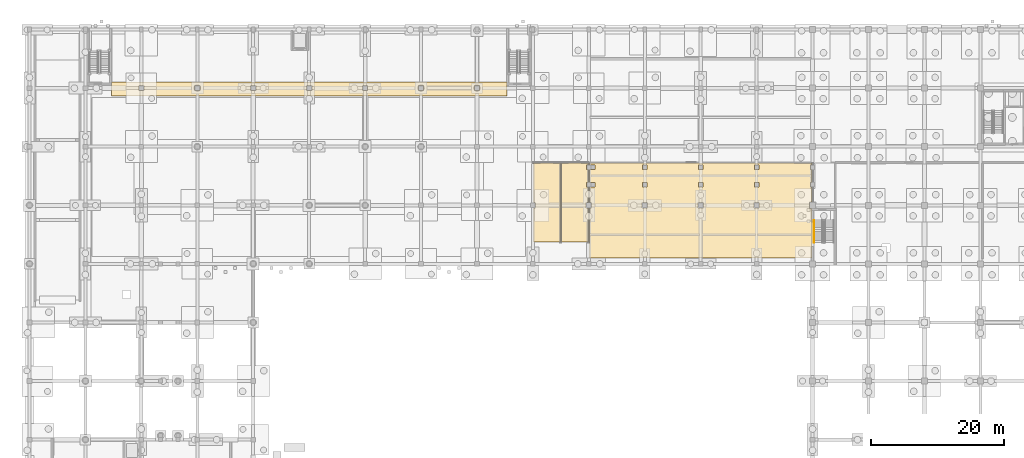
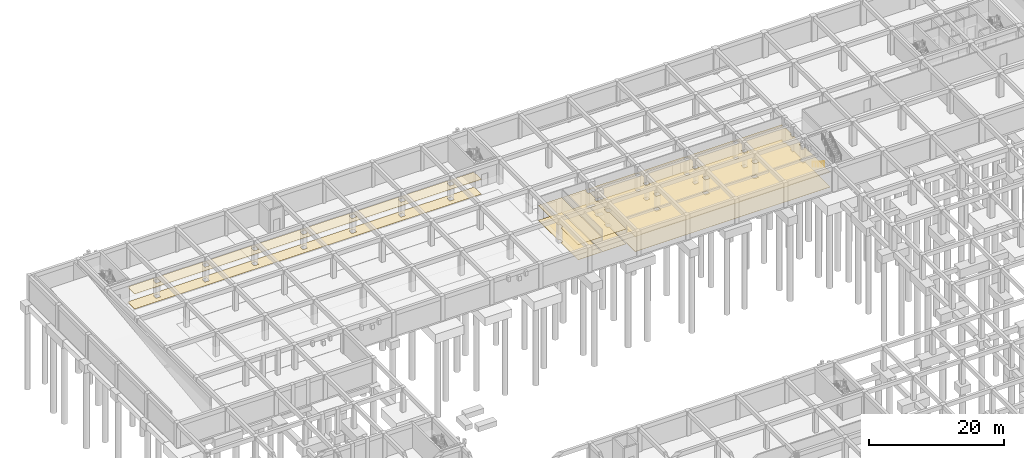
# One storey, part 36 of 41: 8 coverings, 1 railing.
"""IFC4 building model written with IfcOpenShell, lengths in metres."""

from ifc_helpers import new_model, si_unit, direction, frame, origin, origin_2d, place, context, subcontext, project, spatial, polyline, circle, outline, extrude, material, layer, layer_set, type_object, element, save


model = new_model("IFC4")

# Units and contexts
model_context = context("Model", 3, precision=1e-05, world=origin(), true_north=direction((0.0, 1.0)))
body_context = subcontext(model_context, "Body", "Model", "MODEL_VIEW")
ifc_project = project(units=[si_unit("LENGTHUNIT", "METRE"), si_unit("AREAUNIT", "SQUARE_METRE"), si_unit("VOLUMEUNIT", "CUBIC_METRE"), si_unit("PLANEANGLEUNIT", "RADIAN"), si_unit("MASSUNIT", "GRAM", prefix="KILO")], contexts=[model_context])

# Site, building, storey
site_placement = place(None, origin())
site = spatial("IfcSite", under=ifc_project, at=site_placement, CompositionType="ELEMENT")
building_placement = place(site_placement, origin())
building = spatial("IfcBuilding", under=site, at=building_placement, Name="Kemercrest Conservatory and Botanical Centre", CompositionType="ELEMENT")
storey_placement = place(building_placement, frame((0.0, 0.0, -4.5)))
storey = spatial("IfcBuildingStorey", under=building, at=storey_placement, Name="B1", CompositionType="ELEMENT", Elevation=-4.5)

# Coverings
ifc_material_1 = material(Name="Perforated acoustic gypsum and mineral-fibre suspended ceiling", Category="gypsum")
ifc_layer_1 = layer(ifc_material_1, 0.034912109375)
ifc_layer_set_1 = layer_set([ifc_layer_1], Name="Perforated acoustic gypsum and mineral-fibre suspended ceiling")
covering_type_1 = type_object("IfcCoveringType", Name="CV-CLG035", PredefinedType="CEILING", material=ifc_layer_set_1)
covering_1_placement = place(storey_placement, frame((0.0, 0.0, 2.699951171875)))
element("IfcCovering", 1, at=covering_1_placement, inside=storey, type_object=covering_type_1, Name="Car Park Pedestrian Lift Lobby suspended acoustic ceiling", PredefinedType="CEILING", context=body_context, shape_type="SweptSolid", body=[
    extrude(outline(polyline([(79.719970703125, 114.52001953125), (20.280029296875, 114.52001953125), (20.280029296875, 112.3798828125), (79.719970703125, 112.3798828125), (79.719970703125, 114.52001953125)]), holes=[polyline([(74.81005859375, 113.989990234375), (75.590087890625, 113.989990234375), (75.590087890625, 113.2099609375), (74.81005859375, 113.2099609375), (74.81005859375, 113.989990234375)]), polyline([(66.409912109375, 113.2099609375), (66.409912109375, 113.989990234375), (67.18994140625, 113.989990234375), (67.18994140625, 113.2099609375), (66.409912109375, 113.2099609375)]), polyline([(58.010009765625, 113.2099609375), (58.010009765625, 113.989990234375), (58.7900390625, 113.989990234375), (58.7900390625, 113.2099609375), (58.010009765625, 113.2099609375)]), polyline([(49.610107421875, 113.2099609375), (49.610107421875, 113.989990234375), (50.389892578125, 113.989990234375), (50.389892578125, 113.2099609375), (49.610107421875, 113.2099609375)]), polyline([(41.2099609375, 113.2099609375), (41.2099609375, 113.989990234375), (41.989990234375, 113.989990234375), (41.989990234375, 113.2099609375), (41.2099609375, 113.2099609375)]), polyline([(32.81005859375, 113.2099609375), (32.81005859375, 113.989990234375), (33.590087890625, 113.989990234375), (33.590087890625, 113.2099609375), (32.81005859375, 113.2099609375)]), polyline([(24.409912109375, 113.989990234375), (25.18994140625, 113.989990234375), (25.18994140625, 113.2099609375), (24.409912109375, 113.2099609375), (24.409912109375, 113.989990234375)])]), origin(), (0.0, 0.0, 1.0), 0.03515625),
])
covering_2_placement = place(storey_placement, frame((0.0, 0.0, 2.699951171875)))
element("IfcCovering", 2, at=covering_2_placement, inside=storey, type_object=covering_type_1, Name="Enclosed Service Loading Bay LB-01 suspended acoustic ceiling", PredefinedType="CEILING", context=body_context, shape_type="SweptSolid", body=[
    extrude(outline(polyline([(83.679931640625, 90.47998046875), (87.719970703125, 90.47998046875), (87.719970703125, 102.320068359375), (83.679931640625, 102.320068359375), (83.679931640625, 96.389892578125), (83.989990234375, 96.389892578125), (83.989990234375, 95.610107421875), (83.679931640625, 95.610107421875), (83.679931640625, 90.47998046875)])), origin(), (0.0, 0.0, 1.0), 0.03515625),
])
covering_3_placement = place(storey_placement, frame((0.0, 0.0, 2.699951171875)))
element("IfcCovering", 3, at=covering_3_placement, inside=storey, type_object=covering_type_1, Name="Enclosed Service Loading Bay LB-02 suspended acoustic ceiling", PredefinedType="CEILING", context=body_context, shape_type="SweptSolid", body=[
    extrude(outline(polyline([(87.8798828125, 90.47998046875), (91.919921875, 90.47998046875), (91.919921875, 95.610107421875), (91.610107421875, 95.610107421875), (91.610107421875, 96.389892578125), (91.919921875, 96.389892578125), (91.919921875, 98.760009765625), (91.659912109375, 98.760009765625), (91.659912109375, 99.43994140625), (91.919921875, 99.43994140625), (91.919921875, 101.360107421875), (91.659912109375, 101.360107421875), (91.659912109375, 102.0400390625), (91.919921875, 102.0400390625), (91.919921875, 102.320068359375), (87.8798828125, 102.320068359375), (87.8798828125, 90.47998046875)])), origin(), (0.0, 0.0, 1.0), 0.03515625),
])
covering_4_placement = place(storey_placement, frame((0.0, 0.0, 2.699951171875)))
element("IfcCovering", 4, at=covering_4_placement, inside=storey, type_object=covering_type_1, Name="Phytosanitary Freezer Quarantine Suite suspended acoustic ceiling", PredefinedType="CEILING", context=body_context, shape_type="SweptSolid", body=[
    extrude(outline(polyline([(92.389892578125, 95.610107421875), (92.080078125, 95.610107421875), (92.080078125, 88.080078125), (125.52001953125, 88.080078125), (125.52001953125, 95.510009765625), (125.110107421875, 95.510009765625), (125.110107421875, 96.489990234375), (125.52001953125, 96.489990234375), (125.52001953125, 98.760009765625), (125.260009765625, 98.760009765625), (125.260009765625, 99.43994140625), (125.52001953125, 99.43994140625), (125.52001953125, 101.360107421875), (125.260009765625, 101.360107421875), (125.260009765625, 102.0400390625), (125.52001953125, 102.0400390625), (125.52001953125, 102.320068359375), (92.080078125, 102.320068359375), (92.080078125, 102.0400390625), (92.260009765625, 102.0400390625), (92.340087890625, 102.0400390625), (92.93994140625, 102.0400390625), (92.93994140625, 101.360107421875), (92.340087890625, 101.360107421875), (92.260009765625, 101.360107421875), (92.080078125, 101.360107421875), (92.080078125, 99.43994140625), (92.260009765625, 99.43994140625), (92.340087890625, 99.43994140625), (92.93994140625, 99.43994140625), (92.93994140625, 98.760009765625), (92.340087890625, 98.760009765625), (92.260009765625, 98.760009765625), (92.080078125, 98.760009765625), (92.080078125, 96.389892578125), (92.389892578125, 96.389892578125), (92.389892578125, 95.610107421875)]), holes=[polyline([(116.81005859375, 95.610107421875), (116.81005859375, 96.389892578125), (117.590087890625, 96.389892578125), (117.590087890625, 95.610107421875), (116.81005859375, 95.610107421875)]), polyline([(116.860107421875, 98.760009765625), (116.860107421875, 99.43994140625), (117.5400390625, 99.43994140625), (117.5400390625, 98.760009765625), (116.860107421875, 98.760009765625)]), polyline([(116.860107421875, 101.360107421875), (116.860107421875, 102.0400390625), (117.5400390625, 102.0400390625), (117.5400390625, 101.360107421875), (116.860107421875, 101.360107421875)]), polyline([(108.409912109375, 96.389892578125), (109.18994140625, 96.389892578125), (109.18994140625, 95.610107421875), (108.409912109375, 95.610107421875), (108.409912109375, 96.389892578125)]), polyline([(108.4599609375, 98.760009765625), (108.4599609375, 99.43994140625), (109.139892578125, 99.43994140625), (109.139892578125, 98.760009765625), (108.4599609375, 98.760009765625)]), polyline([(108.4599609375, 101.360107421875), (108.4599609375, 102.0400390625), (109.139892578125, 102.0400390625), (109.139892578125, 101.360107421875), (108.4599609375, 101.360107421875)]), polyline([(100.010009765625, 95.610107421875), (100.010009765625, 96.389892578125), (100.7900390625, 96.389892578125), (100.7900390625, 95.610107421875), (100.010009765625, 95.610107421875)]), polyline([(100.06005859375, 99.43994140625), (100.739990234375, 99.43994140625), (100.739990234375, 98.760009765625), (100.06005859375, 98.760009765625), (100.06005859375, 99.43994140625)]), polyline([(100.06005859375, 101.360107421875), (100.06005859375, 102.0400390625), (100.739990234375, 102.0400390625), (100.739990234375, 101.360107421875), (100.06005859375, 101.360107421875)])]), origin(), (0.0, 0.0, 1.0), 0.03515625),
])
ifc_material_2 = material(Name="Polished limestone terrazzo and seamless laboratory epoxy flooring", Category="masonry")
ifc_layer_2 = layer(ifc_material_2, 0.02001953125)
ifc_layer_set_2 = layer_set([ifc_layer_2], Name="Polished limestone terrazzo and seamless laboratory epoxy flooring")
covering_type_2 = type_object("IfcCoveringType", Name="CV-FLR020", PredefinedType="FLOORING", material=ifc_layer_set_2)
covering_5_placement = place(storey_placement, origin())
element("IfcCovering", 5, at=covering_5_placement, inside=storey, type_object=covering_type_2, Name="Car Park Pedestrian Lift Lobby floor finish", PredefinedType="FLOORING", context=body_context, shape_type="SweptSolid", body=[
    extrude(outline(polyline([(79.719970703125, 114.52001953125), (20.280029296875, 114.52001953125), (20.280029296875, 112.3798828125), (79.719970703125, 112.3798828125), (79.719970703125, 114.52001953125)]), holes=[polyline([(74.81005859375, 113.989990234375), (75.590087890625, 113.989990234375), (75.590087890625, 113.2099609375), (74.81005859375, 113.2099609375), (74.81005859375, 113.989990234375)]), polyline([(66.409912109375, 113.2099609375), (66.409912109375, 113.989990234375), (67.18994140625, 113.989990234375), (67.18994140625, 113.2099609375), (66.409912109375, 113.2099609375)]), polyline([(58.010009765625, 113.2099609375), (58.010009765625, 113.989990234375), (58.7900390625, 113.989990234375), (58.7900390625, 113.2099609375), (58.010009765625, 113.2099609375)]), polyline([(49.610107421875, 113.2099609375), (49.610107421875, 113.989990234375), (50.389892578125, 113.989990234375), (50.389892578125, 113.2099609375), (49.610107421875, 113.2099609375)]), polyline([(41.2099609375, 113.2099609375), (41.2099609375, 113.989990234375), (41.989990234375, 113.989990234375), (41.989990234375, 113.2099609375), (41.2099609375, 113.2099609375)]), polyline([(32.81005859375, 113.2099609375), (32.81005859375, 113.989990234375), (33.590087890625, 113.989990234375), (33.590087890625, 113.2099609375), (32.81005859375, 113.2099609375)]), polyline([(24.409912109375, 113.989990234375), (25.18994140625, 113.989990234375), (25.18994140625, 113.2099609375), (24.409912109375, 113.2099609375), (24.409912109375, 113.989990234375)])]), origin(), (0.0, 0.0, 1.0), 0.02001953125),
])
covering_6_placement = place(storey_placement, origin())
element("IfcCovering", 6, at=covering_6_placement, inside=storey, type_object=covering_type_2, Name="Enclosed Service Loading Bay LB-01 floor finish", PredefinedType="FLOORING", context=body_context, shape_type="SweptSolid", body=[
    extrude(outline(polyline([(83.679931640625, 90.47998046875), (87.719970703125, 90.47998046875), (87.719970703125, 102.320068359375), (83.679931640625, 102.320068359375), (83.679931640625, 96.389892578125), (83.989990234375, 96.389892578125), (83.989990234375, 95.610107421875), (83.679931640625, 95.610107421875), (83.679931640625, 90.47998046875)])), origin(), (0.0, 0.0, 1.0), 0.02001953125),
])
covering_7_placement = place(storey_placement, origin())
element("IfcCovering", 7, at=covering_7_placement, inside=storey, type_object=covering_type_2, Name="Enclosed Service Loading Bay LB-02 floor finish", PredefinedType="FLOORING", context=body_context, shape_type="SweptSolid", body=[
    extrude(outline(polyline([(87.8798828125, 90.47998046875), (91.919921875, 90.47998046875), (91.919921875, 95.610107421875), (91.610107421875, 95.610107421875), (91.610107421875, 96.389892578125), (91.919921875, 96.389892578125), (91.919921875, 98.760009765625), (91.659912109375, 98.760009765625), (91.659912109375, 99.43994140625), (91.919921875, 99.43994140625), (91.919921875, 101.360107421875), (91.659912109375, 101.360107421875), (91.659912109375, 102.0400390625), (91.919921875, 102.0400390625), (91.919921875, 102.320068359375), (87.8798828125, 102.320068359375), (87.8798828125, 90.47998046875)])), origin(), (0.0, 0.0, 1.0), 0.02001953125),
])
covering_8_placement = place(storey_placement, origin())
element("IfcCovering", 8, at=covering_8_placement, inside=storey, type_object=covering_type_2, Name="Phytosanitary Freezer Quarantine Suite floor finish", PredefinedType="FLOORING", context=body_context, shape_type="SweptSolid", body=[
    extrude(outline(polyline([(92.389892578125, 95.610107421875), (92.080078125, 95.610107421875), (92.080078125, 88.080078125), (125.52001953125, 88.080078125), (125.52001953125, 95.510009765625), (125.110107421875, 95.510009765625), (125.110107421875, 96.489990234375), (125.52001953125, 96.489990234375), (125.52001953125, 98.760009765625), (125.260009765625, 98.760009765625), (125.260009765625, 99.43994140625), (125.52001953125, 99.43994140625), (125.52001953125, 101.360107421875), (125.260009765625, 101.360107421875), (125.260009765625, 102.0400390625), (125.52001953125, 102.0400390625), (125.52001953125, 102.320068359375), (92.080078125, 102.320068359375), (92.080078125, 102.0400390625), (92.260009765625, 102.0400390625), (92.340087890625, 102.0400390625), (92.93994140625, 102.0400390625), (92.93994140625, 101.360107421875), (92.340087890625, 101.360107421875), (92.260009765625, 101.360107421875), (92.080078125, 101.360107421875), (92.080078125, 99.43994140625), (92.260009765625, 99.43994140625), (92.340087890625, 99.43994140625), (92.93994140625, 99.43994140625), (92.93994140625, 98.760009765625), (92.340087890625, 98.760009765625), (92.260009765625, 98.760009765625), (92.080078125, 98.760009765625), (92.080078125, 96.389892578125), (92.389892578125, 96.389892578125), (92.389892578125, 95.610107421875)]), holes=[polyline([(116.81005859375, 95.610107421875), (116.81005859375, 96.389892578125), (117.590087890625, 96.389892578125), (117.590087890625, 95.610107421875), (116.81005859375, 95.610107421875)]), polyline([(116.860107421875, 98.760009765625), (116.860107421875, 99.43994140625), (117.5400390625, 99.43994140625), (117.5400390625, 98.760009765625), (116.860107421875, 98.760009765625)]), polyline([(116.860107421875, 101.360107421875), (116.860107421875, 102.0400390625), (117.5400390625, 102.0400390625), (117.5400390625, 101.360107421875), (116.860107421875, 101.360107421875)]), polyline([(108.409912109375, 96.389892578125), (109.18994140625, 96.389892578125), (109.18994140625, 95.610107421875), (108.409912109375, 95.610107421875), (108.409912109375, 96.389892578125)]), polyline([(108.4599609375, 98.760009765625), (108.4599609375, 99.43994140625), (109.139892578125, 99.43994140625), (109.139892578125, 98.760009765625), (108.4599609375, 98.760009765625)]), polyline([(108.4599609375, 101.360107421875), (108.4599609375, 102.0400390625), (109.139892578125, 102.0400390625), (109.139892578125, 101.360107421875), (108.4599609375, 101.360107421875)]), polyline([(100.010009765625, 95.610107421875), (100.010009765625, 96.389892578125), (100.7900390625, 96.389892578125), (100.7900390625, 95.610107421875), (100.010009765625, 95.610107421875)]), polyline([(100.06005859375, 99.43994140625), (100.739990234375, 99.43994140625), (100.739990234375, 98.760009765625), (100.06005859375, 98.760009765625), (100.06005859375, 99.43994140625)]), polyline([(100.06005859375, 101.360107421875), (100.06005859375, 102.0400390625), (100.739990234375, 102.0400390625), (100.739990234375, 101.360107421875), (100.06005859375, 101.360107421875)])]), origin(), (0.0, 0.0, 1.0), 0.02001953125),
])

# Railing
ifc_material_3 = material(Name="Brushed stainless steel wall-mounted handrail", Category="steel")
railing_type = type_object("IfcRailingType", Name="HR-STR090", PredefinedType="HANDRAIL", material=ifc_material_3)
railing_placement = place(storey_placement, frame((125.81005859375, 93.760009765625, 0.173095703125)))
element("IfcRailing", 9, at=railing_placement, inside=storey, type_object=railing_type, Name="B1 ST-V4C stair handrail 1", PredefinedType="HANDRAIL", context=body_context, shape_type="SweptSolid", body=[
    extrude(circle(Radius=0.02392578125, at=origin_2d()), frame((0.0, 0.0, 0.8759765625), z_axis=(0.0, -0.850623216509, 0.525775754039), x_axis=(1.0, 0.0, 0.0)), (0.0, 0.0, 1.0), 3.9501953125),
    extrude(circle(Radius=0.02099609375, at=origin_2d()), origin(), (0.0, 0.0, 1.0), 0.851806640625),
    extrude(circle(Radius=0.02099609375, at=origin_2d()), frame((0.0, -0.840087890625, 0.519287109375)), (0.0, 0.0, 1.0), 0.851806640625),
    extrude(circle(Radius=0.02099609375, at=origin_2d()), frame((0.0, -1.68017578125, 1.03857421875)), (0.0, 0.0, 1.0), 0.851806640625),
    extrude(circle(Radius=0.02099609375, at=origin_2d()), frame((0.0, -2.52001953125, 1.5576171875)), (0.0, 0.0, 1.0), 0.851806640625),
    extrude(circle(Radius=0.02099609375, at=origin_2d()), frame((0.0, -3.360107421875, 2.076904296875)), (0.0, 0.0, 1.0), 0.851806640625),
])

save(model, "model.ifc")
